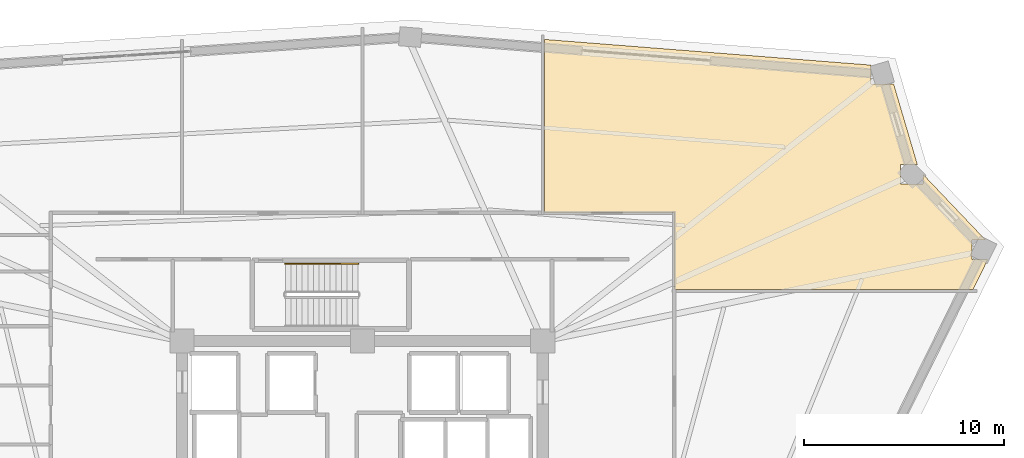
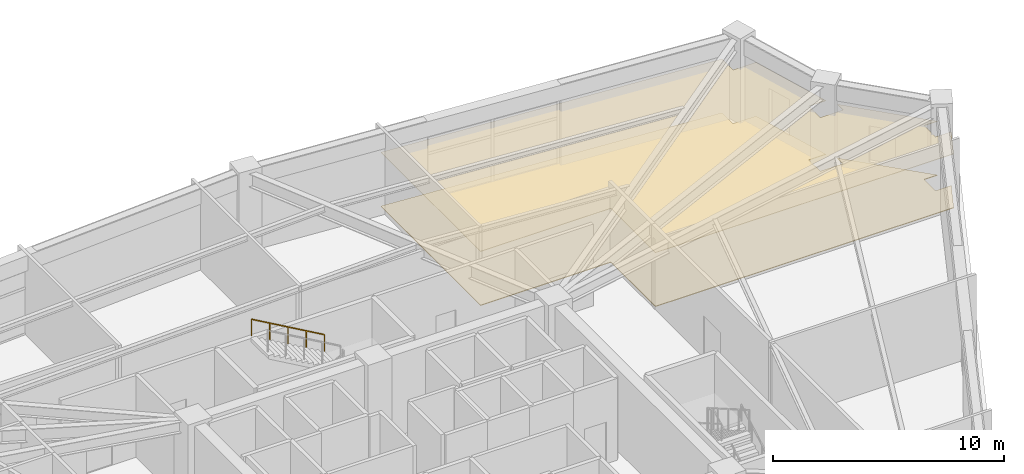
# One storey, part 34 of 35: 2 coverings, 1 railing.
"""IFC4 building model written with IfcOpenShell, lengths in metres."""

import ifcopenshell
import ifcopenshell.guid

model = None  # the IFC model being written
_history = None  # IfcOwnerHistory: only IFC2X3 demands one
_inside = {}  # id of a spatial element -> (the spatial element, [elements in it])
_under = {}  # id of a project, library or spatial element -> (it, [spatial elements below it])
_declared = {}  # id of a project -> (the project, [libraries it declares])
_typed = {}  # id of a type object -> (the type object, [elements of that type])
_made_of = {}  # id of a material, layer set ... -> (it, [elements and type objects made of it])


def new_model(schema):
    """Start an empty IFC model of exactly this schema.

    Asked for "IFC4X3", IfcOpenShell would pick the latest addendum, in which some entities
    have other attributes; the version numbers below select the first issue.
    IFC2X3 requires an IfcOwnerHistory on every rooted entity: one is made here for all.
    """
    global model, _history
    if schema == "IFC4X3":
        model = ifcopenshell.file(schema_version=(4, 3, 0, 0))
    else:
        model = ifcopenshell.file(schema=schema)
    _inside.clear()
    _under.clear()
    _declared.clear()
    _typed.clear()
    _made_of.clear()
    _history = None
    if model.schema == "IFC2X3":
        org = make("IfcOrganization", Name="unknown")
        user = make(
            "IfcPersonAndOrganization",
            ThePerson=make("IfcPerson", FamilyName="unknown"),
            TheOrganization=org,
        )
        app = make(
            "IfcApplication",
            ApplicationDeveloper=org,
            Version="unknown",
            ApplicationFullName="unknown",
            ApplicationIdentifier="unknown",
        )
        _history = make(
            "IfcOwnerHistory",
            OwningUser=user,
            OwningApplication=app,
            ChangeAction="ADDED",
            CreationDate=0,
        )
    return model


def make(cls, **values):
    """One entity of the class cls with the attributes given. An attribute that is None is left unset."""
    return model.create_entity(
        cls, **{name: value for name, value in values.items() if value is not None}
    )


def rooted(cls, **values):
    """An entity with a GlobalId (a new one), such as an element, a storey or a relation."""
    return make(cls, GlobalId=ifcopenshell.guid.new(), OwnerHistory=_history, **values)


def si_unit(unit_type, name, prefix=None):
    """IfcSIUnit, for example si_unit("LENGTHUNIT", "METRE", prefix="MILLI")."""
    return make("IfcSIUnit", UnitType=unit_type, Prefix=prefix, Name=name)


def assignment(units):
    """IfcUnitAssignment: the units of a project."""
    return None if units is None else make("IfcUnitAssignment", Units=units)


def point(xyz):
    """IfcCartesianPoint."""
    return None if xyz is None else make("IfcCartesianPoint", Coordinates=xyz)


def direction(xyz):
    """IfcDirection."""
    return None if xyz is None else make("IfcDirection", DirectionRatios=xyz)


def frame(location, z_axis=None, x_axis=None):
    """IfcAxis2Placement3D, a coordinate frame: its origin and axes. An axis left out is left unset."""
    return make(
        "IfcAxis2Placement3D",
        Location=point(location),
        Axis=direction(z_axis),
        RefDirection=direction(x_axis),
    )


def frame_2d(location, x_axis=None):
    """IfcAxis2Placement2D, a coordinate frame in the plane: its origin and x axis."""
    return make(
        "IfcAxis2Placement2D", Location=point(location), RefDirection=direction(x_axis)
    )


def origin():
    """The frame at (0, 0, 0) with its axes left unset."""
    return frame((0.0, 0.0, 0.0))


def origin_2d():
    """The frame at (0, 0) in the plane with its x axis left unset."""
    return frame_2d((0.0, 0.0))


def place(relative_to, where):
    """IfcLocalPlacement: puts the frame where relative to a parent placement (None: the world)."""
    return make(
        "IfcLocalPlacement", PlacementRelTo=relative_to, RelativePlacement=where
    )


def context(
    kind, dimensions, precision=None, world=None, true_north=None, identifier=None
):
    """IfcGeometricRepresentationContext, for example the 3D "Model" context."""
    return make(
        "IfcGeometricRepresentationContext",
        ContextIdentifier=identifier,
        ContextType=kind,
        CoordinateSpaceDimension=dimensions,
        Precision=precision,
        WorldCoordinateSystem=world,
        TrueNorth=true_north,
    )


def subcontext(parent, identifier, kind, view, scale=None):
    """IfcGeometricRepresentationSubContext, for example "Body" below "Model"."""
    return make(
        "IfcGeometricRepresentationSubContext",
        ContextIdentifier=identifier,
        ContextType=kind,
        ParentContext=parent,
        TargetScale=scale,
        TargetView=view,
    )


def project(units=None, contexts=None):
    """IfcProject with its units and contexts."""
    return rooted(
        "IfcProject",
        Name="project",
        RepresentationContexts=contexts,
        UnitsInContext=assignment(units),
    )


def spatial(cls, under=None, at=None, **own):
    """A site, building, storey or space (cls), placed at a placement, below another one or the project."""
    s = rooted(cls, ObjectPlacement=at, **own)
    if under is not None:
        _under.setdefault(under.id(), (under, []))[1].append(s)
    return s


def polyline(points):
    """IfcPolyline through the points."""
    return make("IfcPolyline", Points=[point(p) for p in points])


def profile(cls, at=None, kind="AREA", **sizes):
    """A parametric profile (cls). Its sizes go by their IFC names, for example OverallWidth=200.0."""
    return make(cls, ProfileType=kind, Position=at, **sizes)


def rectangle(**sizes):
    """IfcRectangleProfileDef."""
    return profile("IfcRectangleProfileDef", **sizes)


def outline(outer, holes=None, kind="AREA"):
    """IfcArbitraryClosedProfileDef: a profile drawn as a closed curve; with holes, ...WithVoids."""
    if holes is None:
        return make("IfcArbitraryClosedProfileDef", ProfileType=kind, OuterCurve=outer)
    return make(
        "IfcArbitraryProfileDefWithVoids",
        ProfileType=kind,
        OuterCurve=outer,
        InnerCurves=holes,
    )


def extrude(swept, where, along, depth):
    """IfcExtrudedAreaSolid: the profile swept, set in the frame where, extruded along a direction by depth."""
    return make(
        "IfcExtrudedAreaSolid",
        SweptArea=swept,
        Position=where,
        ExtrudedDirection=direction(along),
        Depth=depth,
    )


def shape(context_of_items, identifier, shape_type, items):
    """IfcShapeRepresentation: the items that make up one representation, for example the "Body"."""
    return make(
        "IfcShapeRepresentation",
        ContextOfItems=context_of_items,
        RepresentationIdentifier=identifier,
        RepresentationType=shape_type,
        Items=items,
    )


def material(Name=None, Category=None):
    """IfcMaterial."""
    return make("IfcMaterial", Name=Name, Category=Category)


def layer(
    of_material, thickness, ventilated=None, Name=None, Category=None, Priority=None
):
    """IfcMaterialLayer: one layer of a wall or slab, of a material (None: an air gap)."""
    return make(
        "IfcMaterialLayer",
        Material=of_material,
        LayerThickness=thickness,
        IsVentilated=ventilated,
        Name=Name,
        Category=Category,
        Priority=Priority,
    )


def layer_set(layers, Name=None):
    """IfcMaterialLayerSet."""
    return make("IfcMaterialLayerSet", MaterialLayers=layers, LayerSetName=Name)


def made_of(thing, what):
    """Note that an element or type object is made of a material, layer set ...; save() writes the relation."""
    if what is not None:
        _made_of.setdefault(what.id(), (what, []))[1].append(thing)
    return thing


def type_object(cls, material=None, **own):
    """A type object (cls), such as IfcWallType, which elements share."""
    return made_of(rooted(cls, **own), material)


def element(
    cls,
    number,
    at=None,
    inside=None,
    cuts=None,
    type_object=None,
    material=None,
    context=None,
    identifier="Body",
    shape_type=None,
    held_by="IfcProductDefinitionShape",
    body=None,
    shapes=None,
    **own,
):
    """One element of the class cls, such as IfcWall. Its Tag is "e" and its number.

    at: its placement. inside: the storey or other place that contains it. cuts: it is an
    opening in that element (IfcRelVoidsElement). A single representation is given by context,
    identifier, shape_type and body (its items); several are given by shapes. held_by: the class
    of the entity that holds the representations. save() writes the other relations.
    """
    e = rooted(cls, Tag="e%d" % number, ObjectPlacement=at, **own)
    if body is not None:
        shapes = [shape(context, identifier, shape_type, body)]
    if shapes is not None:
        e.Representation = make(held_by, Representations=shapes)
    if inside is not None:
        _inside.setdefault(inside.id(), (inside, []))[1].append(e)
    if cuts is not None:
        rooted(
            "IfcRelVoidsElement", RelatingBuildingElement=cuts, RelatedOpeningElement=e
        )
    if type_object is not None:
        _typed.setdefault(type_object.id(), (type_object, []))[1].append(e)
    return made_of(e, material)


def aggregate(whole, parts):
    """IfcRelAggregates: a whole, such as a stair, and the parts it consists of."""
    return rooted("IfcRelAggregates", RelatingObject=whole, RelatedObjects=parts)


def save(model, path):
    """Write the relations noted so far, then the file.

    IfcRelAggregates (storeys below a building ...), IfcRelContainedInSpatialStructure (elements
    in a storey), IfcRelDefinesByType, IfcRelAssociatesMaterial and IfcRelDeclares: one each for
    every whole, place, type object, material and project.
    """
    for whole, parts in _under.values():
        aggregate(whole, parts)
    for where, things in _inside.values():
        rooted(
            "IfcRelContainedInSpatialStructure",
            RelatedElements=things,
            RelatingStructure=where,
        )
    for kind, things in _typed.values():
        rooted("IfcRelDefinesByType", RelatedObjects=things, RelatingType=kind)
    for what, things in _made_of.values():
        rooted("IfcRelAssociatesMaterial", RelatedObjects=things, RelatingMaterial=what)
    for by, libraries in _declared.values():
        rooted("IfcRelDeclares", RelatingContext=by, RelatedDefinitions=libraries)
    model.write(path)


model = new_model("IFC4")

# Units and contexts
model_context = context("Model", 3, precision=1e-05, world=origin(), true_north=direction((0.0, 1.0)))
body_context = subcontext(model_context, "Body", "Model", "MODEL_VIEW")
ifc_project = project(units=[si_unit("LENGTHUNIT", "METRE"), si_unit("AREAUNIT", "SQUARE_METRE"), si_unit("VOLUMEUNIT", "CUBIC_METRE"), si_unit("PLANEANGLEUNIT", "RADIAN"), si_unit("MASSUNIT", "GRAM", prefix="KILO")], contexts=[model_context])

# Site, building, storey
site_placement = place(None, origin())
site = spatial("IfcSite", under=ifc_project, at=site_placement, CompositionType="ELEMENT")
building_placement = place(site_placement, origin())
building = spatial("IfcBuilding", under=site, at=building_placement, Name="Liaohun Quay Tower", CompositionType="ELEMENT")
storey_placement = place(building_placement, frame((0.0, 0.0, 282.0)))
storey = spatial("IfcBuildingStorey", under=building, at=storey_placement, Name="L73", CompositionType="ELEMENT", Elevation=282.0)

# Coverings
ifc_material_1 = material(Name="Mineral-fibre acoustic ceiling tile")
ifc_layer_1 = layer(ifc_material_1, 0.02490234375, Name="Mineral-fibre acoustic ceiling tile")
ifc_layer_set_1 = layer_set([ifc_layer_1], Name="Mineral-fibre acoustic ceiling tile")
covering_type_1 = type_object("IfcCoveringType", Name="COV-CEIL-ACT", PredefinedType="CEILING", material=ifc_layer_set_1)
covering_1_placement = place(storey_placement, frame((0.0, 0.0, 2.85009765625)))
element("IfcCovering", 1, at=covering_1_placement, inside=storey, type_object=covering_type_1, Name="L73 Executive Advisory Studio 02 Acoustic Ceiling", PredefinedType="CEILING", context=body_context, shape_type="SweptSolid", body=[
    extrude(outline(polyline([(86.511962890625, 74.339111328125), (86.511962890625, 74.327880859375), (85.3720703125, 74.327880859375), (85.3720703125, 75.279052734375), (69.074951171875, 76.56201171875), (69.074951171875, 67.929931640625), (75.580078125, 67.929931640625), (75.580078125, 64.074951171875), (90.47607421875, 64.074951171875), (91.2119140625, 65.56689453125), (90.427978515625, 65.56689453125), (90.427978515625, 66.556884765625), (91.093017578125, 66.556884765625), (87.985107421875, 69.822998046875), (87.985107421875, 69.3330078125), (86.844970703125, 69.3330078125), (86.844970703125, 70.322998046875), (87.696044921875, 70.322998046875), (86.511962890625, 74.339111328125)])), origin(), (0.0, 0.0, 1.0), 0.02490234375),
])
ifc_material_2 = material(Name="Honed Liaodong granite floor paving", Category="masonry")
ifc_layer_2 = layer(ifc_material_2, 0.034912109375, Name="Honed Liaodong granite floor paving", Category="masonry")
ifc_layer_set_2 = layer_set([ifc_layer_2], Name="Honed Liaodong granite floor paving")
covering_type_2 = type_object("IfcCoveringType", Name="COV-FLR-STN", PredefinedType="FLOORING", material=ifc_layer_set_2)
covering_2_placement = place(storey_placement, origin())
element("IfcCovering", 2, at=covering_2_placement, inside=storey, type_object=covering_type_2, Name="L73 Executive Advisory Studio 02 Floor Finish", PredefinedType="FLOORING", context=body_context, shape_type="SweptSolid", body=[
    extrude(outline(polyline([(86.511962890625, 74.339111328125), (86.511962890625, 74.327880859375), (85.3720703125, 74.327880859375), (85.3720703125, 75.279052734375), (69.074951171875, 76.56201171875), (69.074951171875, 67.929931640625), (75.580078125, 67.929931640625), (75.580078125, 64.074951171875), (90.47607421875, 64.074951171875), (91.2119140625, 65.56689453125), (90.427978515625, 65.56689453125), (90.427978515625, 66.556884765625), (91.093017578125, 66.556884765625), (87.985107421875, 69.822998046875), (87.985107421875, 69.3330078125), (86.844970703125, 69.3330078125), (86.844970703125, 70.322998046875), (87.696044921875, 70.322998046875), (86.511962890625, 74.339111328125)])), origin(), (0.0, 0.0, 1.0), 0.034912109375),
])

# Railing
ifc_material_3 = material(Name="Brushed stainless steel", Category="steel")
railing_type = type_object("IfcRailingType", Name="RLG-HND-STR", PredefinedType="HANDRAIL", material=ifc_material_3)
railing_placement = place(storey_placement, frame((59.7900390625, 65.360107421875, 2.41064453125)))
element("IfcRailing", 3, at=railing_placement, inside=storey, type_object=railing_type, Name="L73 ST-3 stair handrail 2", PredefinedType="HANDRAIL", context=body_context, shape_type="SweptSolid", body=[
    extrude(rectangle(XDim=0.048095703125, YDim=0.048095703125, at=origin_2d()), frame((0.0, 0.0, 0.8759765625), z_axis=(-0.867289372828, 0.0, 0.497804322781), x_axis=(0.0, -1.0, 0.0)), (0.0, 0.0, 1.0), 4.197021484375),
    extrude(rectangle(XDim=0.0419921875, YDim=0.0419921875, at=origin_2d()), origin(), (0.0, 0.0, 1.0), 0.851806640625),
    extrude(rectangle(XDim=0.0419921875, YDim=0.0419921875, at=origin_2d()), frame((-0.91015625, 0.0, 0.5224609375)), (0.0, 0.0, 1.0), 0.851806640625),
    extrude(rectangle(XDim=0.0419921875, YDim=0.0419921875, at=origin_2d()), frame((-1.820068359375, 0.0, 1.044677734375)), (0.0, 0.0, 1.0), 0.851806640625),
    extrude(rectangle(XDim=0.0419921875, YDim=0.0419921875, at=origin_2d()), frame((-2.72998046875, 0.0, 1.56689453125)), (0.0, 0.0, 1.0), 0.851806640625),
    extrude(rectangle(XDim=0.0419921875, YDim=0.0419921875, at=origin_2d()), frame((-3.64013671875, 0.0, 2.08935546875)), (0.0, 0.0, 1.0), 0.851806640625),
])

save(model, "model.ifc")
